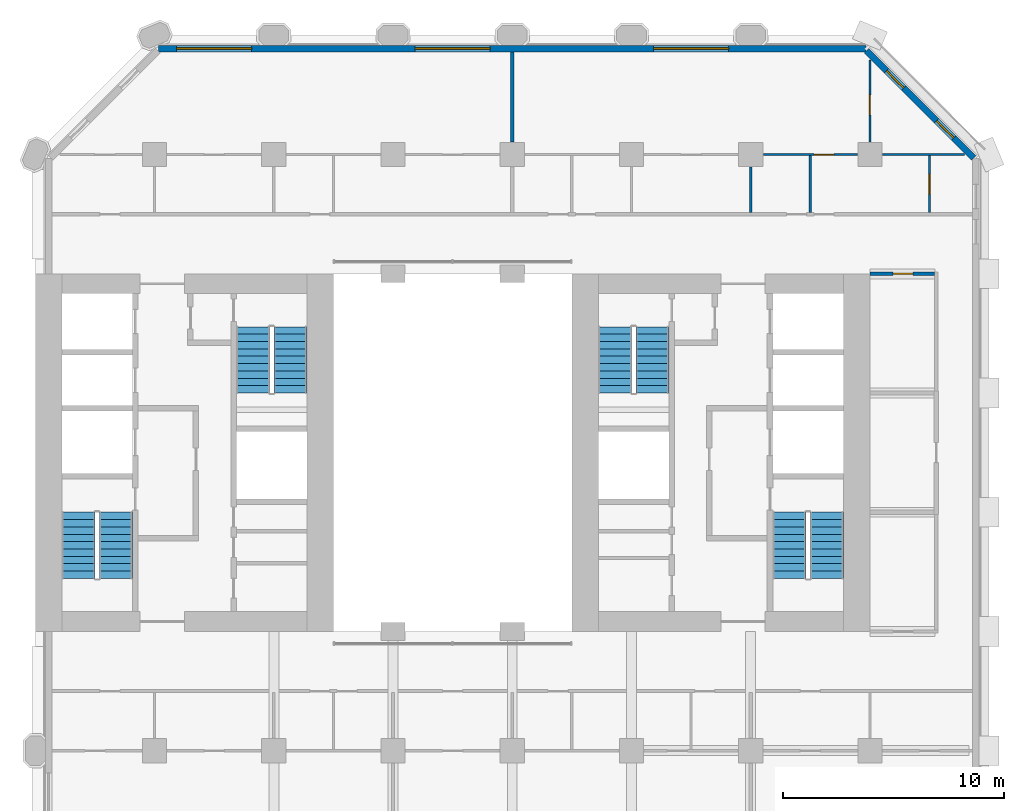
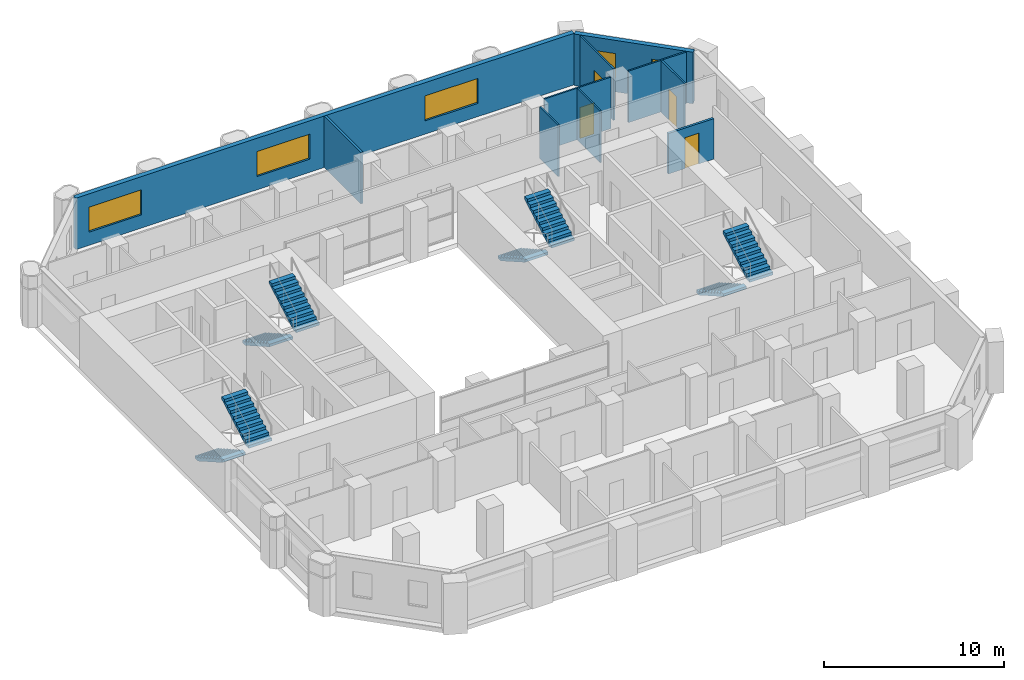
# One storey, part 11 of 13: 10 walls, 8 stair flights, 5 windows, 4 doors, 9 openings, 4 elements without a shape of their own.
"""IFC4 building model written with IfcOpenShell, lengths in metres."""

from ifc_helpers import new_model, si_unit, direction, frame, frame_2d, origin, place, context, subcontext, project, spatial, polyline, rectangle, outline, extrude, material, layer, layer_set, type_object, element, fill, aggregate, save


model = new_model("IFC4")

# Units and contexts
model_context = context("Model", 3, precision=1e-05, world=origin(), true_north=direction((0.0, 1.0)))
body_context = subcontext(model_context, "Body", "Model", "MODEL_VIEW")
ifc_project = project(units=[si_unit("LENGTHUNIT", "METRE"), si_unit("AREAUNIT", "SQUARE_METRE"), si_unit("VOLUMEUNIT", "CUBIC_METRE"), si_unit("PLANEANGLEUNIT", "RADIAN"), si_unit("MASSUNIT", "GRAM", prefix="KILO")], contexts=[model_context])

# Site, building, storey
site_placement = place(None, origin())
site = spatial("IfcSite", under=ifc_project, at=site_placement, CompositionType="ELEMENT")
building_placement = place(site_placement, origin())
building = spatial("IfcBuilding", under=site, at=building_placement, Name="Tabaq Tower and Sports Hall", CompositionType="ELEMENT")
storey_placement = place(building_placement, frame((0.0, 0.0, 37.39990234375)))
storey = spatial("IfcBuildingStorey", under=building, at=storey_placement, Name="L07", CompositionType="ELEMENT", Elevation=37.39990234375)

# Walls
ifc_material_1 = material(Name="Gypsum board on steel studs", Category="steel")
ifc_layer_1 = layer(ifc_material_1, 0.10009765625)
ifc_layer_set_1 = layer_set([ifc_layer_1], Name="Partition 100 Gypsum board")
wall_type_1 = type_object("IfcWallType", Name="Partition 100 Gypsum board", PredefinedType="PARTITIONING", material=ifc_layer_set_1)
wall_1_placement = place(storey_placement, frame((37.800048828125, 35.175048828125, 0.0), z_axis=(0.0, 0.0, 1.0), x_axis=(0.0, 1.0, 0.0)))
element("IfcWall", 1, at=wall_1_placement, inside=storey, type_object=wall_type_1, Name="Partition wall L07", PredefinedType="PARTITIONING", context=body_context, shape_type="SweptSolid", body=[
    extrude(rectangle(XDim=2.054931640625, YDim=0.10009765625, at=frame_2d((1.02734375, 0.0))), origin(), (0.0, 0.0, 1.0), 3.5),
])
wall_2_placement = place(storey_placement, frame((40.5, 35.175048828125, 0.0), z_axis=(0.0, 0.0, 1.0), x_axis=(0.0, 1.0, 0.0)))
element("IfcWall", 2, at=wall_2_placement, inside=storey, type_object=wall_type_1, Name="Partition wall L07", PredefinedType="PARTITIONING", context=body_context, shape_type="SweptSolid", body=[
    extrude(rectangle(XDim=2.574951171875, YDim=0.10009765625, at=frame_2d((1.28759765625, 0.0))), origin(), (0.0, 0.0, 1.0), 3.5),
])

# Wall, opening, door
wall_3_placement = place(storey_placement, frame((45.89990234375, 35.175048828125, 0.0), z_axis=(0.0, 0.0, 1.0), x_axis=(0.0, 1.0, 0.0)))
wall_3 = element("IfcWall", 3, at=wall_3_placement, inside=storey, type_object=wall_type_1, Name="Partition wall L07", PredefinedType="PARTITIONING", context=body_context, shape_type="SweptSolid", body=[
    extrude(rectangle(XDim=2.574951171875, YDim=0.10009765625, at=frame_2d((1.28759765625, 0.0))), origin(), (0.0, 0.0, 1.0), 3.5),
])
opening_1_placement = place(wall_3_placement, frame((0.824951171875, 0.0, 0.0)))
opening_1 = element("IfcOpeningElement", 4, at=opening_1_placement, cuts=wall_3, Name="Opening L07-015", PredefinedType="OPENING", context=body_context, shape_type="SweptSolid", body=[
    extrude(rectangle(XDim=0.89990234375, YDim=2.10009765625, at=frame_2d((0.449951171875, 1.050048828125))), frame((0.0, 0.050048828125, 0.0), z_axis=(0.0, -1.0, 0.0), x_axis=(1.0, 0.0, 0.0)), (0.0, 0.0, 1.0), 0.10009765625),
])
ifc_material_2 = material(Name="Timber leaf in steel frame", Category="steel")
door_type_1 = type_object("IfcDoorType", Name="Internal door 900 right hand", OperationType="SINGLE_SWING_RIGHT", PredefinedType="DOOR", material=ifc_material_2)
door_1_placement = place(opening_1_placement, origin())
door_1 = element("IfcDoor", 5, at=door_1_placement, inside=storey, type_object=door_type_1, Name="Internal door L07-015", OperationType="SINGLE_SWING_RIGHT", OverallHeight=2.10009765625, OverallWidth=0.89990234375, PredefinedType="DOOR", context=body_context, shape_type="SweptSolid", body=[
    extrude(rectangle(XDim=0.89990234375, YDim=2.10009765625, at=frame_2d((0.449951171875, 1.050048828125))), frame((0.0, 0.02490234375, 0.0), z_axis=(0.0, -1.0, 0.0), x_axis=(1.0, 0.0, 0.0)), (0.0, 0.0, 1.0), 0.050048828125),
])
fill(opening_1, door_1)

wall_4_placement = place(storey_placement, frame((42.6298828125, 37.800048828125, 0.0), z_axis=(0.0, 0.0, 1.0), x_axis=(-1.0, 0.0, 0.0)))
wall_4 = element("IfcWall", 6, at=wall_4_placement, inside=storey, type_object=wall_type_1, Name="Partition wall L07", PredefinedType="PARTITIONING", context=body_context, shape_type="SweptSolid", body=[
    extrude(rectangle(XDim=4.259765625, YDim=0.10009765625, at=frame_2d((2.1298828125, 0.0))), origin(), (0.0, 0.0, 1.0), 3.5),
])
opening_2_placement = place(wall_4_placement, frame((1.06005859375, 0.0, 0.0)))
opening_2 = element("IfcOpeningElement", 7, at=opening_2_placement, cuts=wall_4, Name="Opening L07-032", PredefinedType="OPENING", context=body_context, shape_type="SweptSolid", body=[
    extrude(rectangle(XDim=0.89990234375, YDim=2.10009765625, at=frame_2d((0.449951171875, 1.050048828125))), frame((0.0, 0.050048828125, 0.0), z_axis=(0.0, -1.0, 0.0), x_axis=(1.0, 0.0, 0.0)), (0.0, 0.0, 1.0), 0.10009765625),
])
door_2_placement = place(opening_2_placement, origin())
door_2 = element("IfcDoor", 8, at=door_2_placement, inside=storey, type_object=door_type_1, Name="Internal door L07-032", OperationType="SINGLE_SWING_RIGHT", OverallHeight=2.10009765625, OverallWidth=0.89990234375, PredefinedType="DOOR", context=body_context, shape_type="SweptSolid", body=[
    extrude(rectangle(XDim=0.89990234375, YDim=2.10009765625, at=frame_2d((0.449951171875, 1.050048828125))), frame((0.0, 0.02490234375, 0.0), z_axis=(0.0, -1.0, 0.0), x_axis=(1.0, 0.0, 0.0)), (0.0, 0.0, 1.0), 0.050048828125),
])
fill(opening_2, door_2)

# Wall
wall_5_placement = place(storey_placement, frame((47.48779296875, 37.800048828125, 0.0), z_axis=(0.0, 0.0, 1.0), x_axis=(-1.0, 0.0, 0.0)))
element("IfcWall", 9, at=wall_5_placement, inside=storey, type_object=wall_type_1, Name="Partition wall L07", PredefinedType="PARTITIONING", context=body_context, shape_type="SweptSolid", body=[
    extrude(rectangle(XDim=3.7177734375, YDim=0.10009765625, at=frame_2d((1.85888671875, 0.0))), origin(), (0.0, 0.0, 1.0), 3.5),
])

# Wall, opening, door
wall_6_placement = place(storey_placement, frame((43.199951171875, 38.3701171875, 0.0), z_axis=(0.0, 0.0, 1.0), x_axis=(0.0, 1.0, 0.0)))
wall_6 = element("IfcWall", 10, at=wall_6_placement, inside=storey, type_object=wall_type_1, Name="Partition wall L07", PredefinedType="PARTITIONING", context=body_context, shape_type="SweptSolid", body=[
    extrude(rectangle(XDim=3.7177734375, YDim=0.10009765625, at=frame_2d((1.85888671875, 0.0))), origin(), (0.0, 0.0, 1.0), 3.5),
])
opening_3_placement = place(wall_6_placement, frame((1.22998046875, 0.0, 0.0)))
opening_3 = element("IfcOpeningElement", 11, at=opening_3_placement, cuts=wall_6, Name="Opening L07-016", PredefinedType="OPENING", context=body_context, shape_type="SweptSolid", body=[
    extrude(rectangle(XDim=0.89990234375, YDim=2.10009765625, at=frame_2d((0.449951171875, 1.050048828125))), frame((0.0, 0.050048828125, 0.0), z_axis=(0.0, -1.0, 0.0), x_axis=(1.0, 0.0, 0.0)), (0.0, 0.0, 1.0), 0.10009765625),
])
ifc_material_3 = material(Name="Timber leaf in steel frame", Category="steel")
door_type_2 = type_object("IfcDoorType", Name="Internal door 900 left hand", OperationType="SINGLE_SWING_LEFT", PredefinedType="DOOR", material=ifc_material_3)
door_3_placement = place(opening_3_placement, origin())
door_3 = element("IfcDoor", 12, at=door_3_placement, inside=storey, type_object=door_type_2, Name="Internal door L07-016", OperationType="SINGLE_SWING_LEFT", OverallHeight=2.10009765625, OverallWidth=0.89990234375, PredefinedType="DOOR", context=body_context, shape_type="SweptSolid", body=[
    extrude(rectangle(XDim=0.89990234375, YDim=2.10009765625, at=frame_2d((0.449951171875, 1.050048828125))), frame((0.0, 0.02490234375, 0.0), z_axis=(0.0, -1.0, 0.0), x_axis=(1.0, 0.0, 0.0)), (0.0, 0.0, 1.0), 0.050048828125),
])
fill(opening_3, door_3)

ifc_material_4 = material(Name="Blockwork", Category="masonry")
ifc_layer_2 = layer(ifc_material_4, 0.14990234375)
ifc_layer_set_2 = layer_set([ifc_layer_2], Name="Separating wall 150 Blockwork")
wall_type_2 = type_object("IfcWallType", Name="Separating wall 150 Blockwork", PredefinedType="PARTITIONING", material=ifc_layer_set_2)
wall_7_placement = place(storey_placement, frame((46.125, 32.39990234375, 0.0), z_axis=(0.0, 0.0, 1.0), x_axis=(-1.0, 0.0, 0.0)))
wall_7 = element("IfcWall", 13, at=wall_7_placement, inside=storey, type_object=wall_type_2, Name="Separating wall L07", PredefinedType="PARTITIONING", context=body_context, shape_type="SweptSolid", body=[
    extrude(rectangle(XDim=2.925048828125, YDim=0.14990234375, at=frame_2d((1.46240234375, 0.0))), origin(), (0.0, 0.0, 1.0), 2.75),
])
opening_4_placement = place(wall_7_placement, frame((0.97509765625, 0.0, 0.0)))
opening_4 = element("IfcOpeningElement", 14, at=opening_4_placement, cuts=wall_7, Name="Opening L07-011", PredefinedType="OPENING", context=body_context, shape_type="SweptSolid", body=[
    extrude(rectangle(XDim=0.89990234375, YDim=2.10009765625, at=frame_2d((0.449951171875, 1.050048828125))), frame((0.0, 0.074951171875, 0.0), z_axis=(0.0, -1.0, 0.0), x_axis=(1.0, 0.0, 0.0)), (0.0, 0.0, 1.0), 0.14990234375),
])
door_4_placement = place(opening_4_placement, origin())
door_4 = element("IfcDoor", 15, at=door_4_placement, inside=storey, type_object=door_type_2, Name="Internal door L07-011", OperationType="SINGLE_SWING_LEFT", OverallHeight=2.10009765625, OverallWidth=0.89990234375, PredefinedType="DOOR", context=body_context, shape_type="SweptSolid", body=[
    extrude(rectangle(XDim=0.89990234375, YDim=2.10009765625, at=frame_2d((0.449951171875, 1.050048828125))), frame((0.0, 0.02490234375, 0.0), z_axis=(0.0, -1.0, 0.0), x_axis=(1.0, 0.0, 0.0)), (0.0, 0.0, 1.0), 0.050048828125),
])
fill(opening_4, door_4)

# Wall
wall_8_placement = place(storey_placement, frame((27.0, 38.3701171875, 0.0), z_axis=(0.0, 0.0, 1.0), x_axis=(0.0, 1.0, 0.0)))
element("IfcWall", 16, at=wall_8_placement, inside=storey, type_object=wall_type_2, Name="Separating wall L07", PredefinedType="PARTITIONING", context=body_context, shape_type="SweptSolid", body=[
    extrude(rectangle(XDim=4.078857421875, YDim=0.14990234375, at=frame_2d((2.03955078125, 0.0))), origin(), (0.0, 0.0, 1.0), 3.5),
])

# Wall, openings, windows
ifc_material_5 = material(Name="White precast concrete C60/75", Category="concrete")
ifc_layer_3 = layer(ifc_material_5, 0.300048828125)
ifc_layer_set_3 = layer_set([ifc_layer_3], Name="White precast concrete C60/75 external wall 300")
wall_type_3 = type_object("IfcWallType", Name="White precast concrete C60/75 external wall 300", PredefinedType="SOLIDWALL", material=ifc_layer_set_3)
wall_9_placement = place(storey_placement, frame((47.901123046875, 37.650390625, 0.0), z_axis=(0.0, 0.0, 1.0), x_axis=(-0.707106781187, 0.707106781187, 0.0)))
wall_9 = element("IfcWall", 17, at=wall_9_placement, inside=storey, type_object=wall_type_3, Name="External Wall L07 NE", PredefinedType="SOLIDWALL", context=body_context, shape_type="SweptSolid", body=[
    extrude(rectangle(XDim=6.85986328125, YDim=0.300048828125, at=frame_2d((3.429931640625, 0.0))), origin(), (0.0, 0.0, 1.0), 3.5),
])
opening_5_placement = place(wall_9_placement, frame((1.27978515625, 0.0, 0.89990234375)))
opening_5 = element("IfcOpeningElement", 18, at=opening_5_placement, cuts=wall_9, Name="Opening W1B", PredefinedType="OPENING", context=body_context, shape_type="SweptSolid", body=[
    extrude(rectangle(XDim=1.10009765625, YDim=1.699951171875, at=frame_2d((0.550048828125, 0.85009765625))), frame((0.0, 0.16015625, 0.0), z_axis=(0.0, -1.0, 0.0), x_axis=(1.0, 0.0, 0.0)), (0.0, 0.0, 1.0), 0.320068359375),
])
opening_6_placement = place(wall_9_placement, frame((4.479736328125, 0.0, 0.89990234375)))
opening_6 = element("IfcOpeningElement", 19, at=opening_6_placement, cuts=wall_9, Name="Opening W1B", PredefinedType="OPENING", context=body_context, shape_type="SweptSolid", body=[
    extrude(rectangle(XDim=1.10009765625, YDim=1.699951171875, at=frame_2d((0.550048828125, 0.85009765625))), frame((0.0, 0.16015625, 0.0), z_axis=(0.0, -1.0, 0.0), x_axis=(1.0, 0.0, 0.0)), (0.0, 0.0, 1.0), 0.320068359375),
])
ifc_material_6 = material(Name="Aluminium framed clear glazing", Category="aluminium")
window_type_1 = type_object("IfcWindowType", Name="Window W1B", PartitioningType="SINGLE_PANEL", PredefinedType="WINDOW", material=ifc_material_6)
window_1_placement = place(opening_5_placement, origin())
window_1 = element("IfcWindow", 20, at=window_1_placement, inside=storey, type_object=window_type_1, Name="Window W1B L07", OverallHeight=1.699951171875, OverallWidth=1.10009765625, PartitioningType="SINGLE_PANEL", PredefinedType="WINDOW", context=body_context, shape_type="SweptSolid", body=[
    extrude(rectangle(XDim=1.10009765625, YDim=1.699951171875, at=frame_2d((0.550048828125, 0.85009765625))), frame((0.0, 0.030029296875, 0.0), z_axis=(0.0, -1.0, 0.0), x_axis=(1.0, 0.0, 0.0)), (0.0, 0.0, 1.0), 0.06005859375),
])
fill(opening_5, window_1)
window_2_placement = place(opening_6_placement, origin())
window_2 = element("IfcWindow", 21, at=window_2_placement, inside=storey, type_object=window_type_1, Name="Window W1B L07", OverallHeight=1.699951171875, OverallWidth=1.10009765625, PartitioningType="SINGLE_PANEL", PredefinedType="WINDOW", context=body_context, shape_type="SweptSolid", body=[
    extrude(rectangle(XDim=1.10009765625, YDim=1.699951171875, at=frame_2d((0.550048828125, 0.85009765625))), frame((0.0, 0.030029296875, 0.0), z_axis=(0.0, -1.0, 0.0), x_axis=(1.0, 0.0, 0.0)), (0.0, 0.0, 1.0), 0.06005859375),
])
fill(opening_6, window_2)

wall_10_placement = place(storey_placement, frame((43.013671875, 42.60009765625, 0.0), z_axis=(0.0, 0.0, 1.0), x_axis=(-1.0, 0.0, 0.0)))
wall_10 = element("IfcWall", 22, at=wall_10_placement, inside=storey, type_object=wall_type_3, Name="External Wall L07 N", PredefinedType="SOLIDWALL", context=body_context, shape_type="SweptSolid", body=[
    extrude(rectangle(XDim=32.02734375, YDim=0.300048828125, at=frame_2d((16.013671875, 0.0))), origin(), (0.0, 0.0, 1.0), 3.5),
])
opening_7_placement = place(wall_10_placement, frame((6.213623046875, 0.0, 0.89990234375)))
opening_7 = element("IfcOpeningElement", 23, at=opening_7_placement, cuts=wall_10, Name="Opening W1A", PredefinedType="OPENING", context=body_context, shape_type="SweptSolid", body=[
    extrude(rectangle(XDim=3.39990234375, YDim=1.699951171875, at=frame_2d((1.699951171875, 0.85009765625))), frame((0.0, 0.16015625, 0.0), z_axis=(0.0, -1.0, 0.0), x_axis=(1.0, 0.0, 0.0)), (0.0, 0.0, 1.0), 0.320068359375),
])
opening_8_placement = place(wall_10_placement, frame((17.013671875, 0.0, 0.89990234375)))
opening_8 = element("IfcOpeningElement", 24, at=opening_8_placement, cuts=wall_10, Name="Opening W1A", PredefinedType="OPENING", context=body_context, shape_type="SweptSolid", body=[
    extrude(rectangle(XDim=3.39990234375, YDim=1.699951171875, at=frame_2d((1.699951171875, 0.85009765625))), frame((0.0, 0.16015625, 0.0), z_axis=(0.0, -1.0, 0.0), x_axis=(1.0, 0.0, 0.0)), (0.0, 0.0, 1.0), 0.320068359375),
])
opening_9_placement = place(wall_10_placement, frame((27.813720703125, 0.0, 0.89990234375)))
opening_9 = element("IfcOpeningElement", 25, at=opening_9_placement, cuts=wall_10, Name="Opening W1A", PredefinedType="OPENING", context=body_context, shape_type="SweptSolid", body=[
    extrude(rectangle(XDim=3.39990234375, YDim=1.699951171875, at=frame_2d((1.699951171875, 0.85009765625))), frame((0.0, 0.16015625, 0.0), z_axis=(0.0, -1.0, 0.0), x_axis=(1.0, 0.0, 0.0)), (0.0, 0.0, 1.0), 0.320068359375),
])
ifc_material_7 = material(Name="Aluminium framed clear glazing", Category="aluminium")
window_type_2 = type_object("IfcWindowType", Name="Window W1A", PartitioningType="SINGLE_PANEL", PredefinedType="WINDOW", material=ifc_material_7)
window_3_placement = place(opening_7_placement, origin())
window_3 = element("IfcWindow", 26, at=window_3_placement, inside=storey, type_object=window_type_2, Name="Window W1A L07", OverallHeight=1.699951171875, OverallWidth=3.39990234375, PartitioningType="SINGLE_PANEL", PredefinedType="WINDOW", context=body_context, shape_type="SweptSolid", body=[
    extrude(rectangle(XDim=3.39990234375, YDim=1.699951171875, at=frame_2d((1.699951171875, 0.85009765625))), frame((0.0, 0.030029296875, 0.0), z_axis=(0.0, -1.0, 0.0), x_axis=(1.0, 0.0, 0.0)), (0.0, 0.0, 1.0), 0.06005859375),
])
fill(opening_7, window_3)
window_4_placement = place(opening_8_placement, origin())
window_4 = element("IfcWindow", 27, at=window_4_placement, inside=storey, type_object=window_type_2, Name="Window W1A L07", OverallHeight=1.699951171875, OverallWidth=3.39990234375, PartitioningType="SINGLE_PANEL", PredefinedType="WINDOW", context=body_context, shape_type="SweptSolid", body=[
    extrude(rectangle(XDim=3.39990234375, YDim=1.699951171875, at=frame_2d((1.699951171875, 0.85009765625))), frame((0.0, 0.030029296875, 0.0), z_axis=(0.0, -1.0, 0.0), x_axis=(1.0, 0.0, 0.0)), (0.0, 0.0, 1.0), 0.06005859375),
])
fill(opening_8, window_4)
window_5_placement = place(opening_9_placement, origin())
window_5 = element("IfcWindow", 28, at=window_5_placement, inside=storey, type_object=window_type_2, Name="Window W1A L07", OverallHeight=1.699951171875, OverallWidth=3.39990234375, PartitioningType="SINGLE_PANEL", PredefinedType="WINDOW", context=body_context, shape_type="SweptSolid", body=[
    extrude(rectangle(XDim=3.39990234375, YDim=1.699951171875, at=frame_2d((1.699951171875, 0.85009765625))), frame((0.0, 0.030029296875, 0.0), z_axis=(0.0, -1.0, 0.0), x_axis=(1.0, 0.0, 0.0)), (0.0, 0.0, 1.0), 0.06005859375),
])
fill(opening_9, window_5)

# Stair, stair flights
ifc_material_8 = material(Name="Concrete C40/50", Category="concrete")
stair_type = type_object("IfcStairType", Name="Exit stair", PredefinedType="HALF_TURN_STAIR", material=ifc_material_8)
stair_1_placement = place(storey_placement, origin())
stair_1 = element("IfcStair", 29, at=stair_1_placement, inside=storey, type_object=stair_type, Name="L07 Exit stair ST1", PredefinedType="HALF_TURN_STAIR")
ifc_material_9 = material(Name="Concrete C40/50", Category="concrete")
stair_flight_type = type_object("IfcStairFlightType", Name="Exit stair flight", PredefinedType="STRAIGHT", material=ifc_material_9)
stair_flight_1_placement = place(storey_placement, frame((7.35009765625, 21.60009765625, 0.0), z_axis=(0.0, 0.0, 1.0), x_axis=(0.0, -1.0, 0.0)))
stair_flight_1 = element("IfcStairFlight", 30, at=stair_flight_1_placement, type_object=stair_flight_type, Name="ST1 flight 1", NumberOfRisers=10, NumberOfTreads=9, PredefinedType="STRAIGHT", RiserHeight=0.19, TreadLength=0.333333333, context=body_context, shape_type="SweptSolid", body=[
    extrude(outline(polyline([(0.0, 0.0), (0.0, 0.18994140625), (0.333251953125, 0.18994140625), (0.333251953125, 0.3798828125), (0.666748046875, 0.3798828125), (0.666748046875, 0.570068359375), (1.0, 0.570068359375), (1.0, 0.760009765625), (1.333251953125, 0.760009765625), (1.333251953125, 0.949951171875), (1.666748046875, 0.949951171875), (1.666748046875, 1.139892578125), (2.0, 1.139892578125), (2.0, 1.330078125), (2.333251953125, 1.330078125), (2.333251953125, 1.52001953125), (2.666748046875, 1.52001953125), (2.666748046875, 1.7099609375), (3.0, 1.7099609375), (3.0, 1.89990234375), (3.0, 1.537353515625), (0.302734375, 0.0), (0.0, 0.0)])), frame((0.0, 0.75, 0.0), z_axis=(0.0, -1.0, 0.0), x_axis=(1.0, 0.0, 0.0)), (0.0, 0.0, 1.0), 1.5),
])
stair_flight_2_placement = place(storey_placement, frame((9.050048828125, 18.60009765625, 1.900146484375), z_axis=(0.0, 0.0, 1.0), x_axis=(0.0, 1.0, 0.0)))
stair_flight_2 = element("IfcStairFlight", 31, at=stair_flight_2_placement, type_object=stair_flight_type, Name="ST1 flight 2", NumberOfRisers=10, NumberOfTreads=9, PredefinedType="STRAIGHT", RiserHeight=0.19, TreadLength=0.333333333, context=body_context, shape_type="SweptSolid", body=[
    extrude(outline(polyline([(0.0, 0.0), (0.0, 0.18994140625), (0.333251953125, 0.18994140625), (0.333251953125, 0.3798828125), (0.666748046875, 0.3798828125), (0.666748046875, 0.570068359375), (1.0, 0.570068359375), (1.0, 0.760009765625), (1.333251953125, 0.760009765625), (1.333251953125, 0.949951171875), (1.666748046875, 0.949951171875), (1.666748046875, 1.139892578125), (2.0, 1.139892578125), (2.0, 1.330078125), (2.333251953125, 1.330078125), (2.333251953125, 1.52001953125), (2.666748046875, 1.52001953125), (2.666748046875, 1.7099609375), (3.0, 1.7099609375), (3.0, 1.89990234375), (3.0, 1.537353515625), (0.302734375, 0.0), (0.0, 0.0)])), frame((0.0, 0.75, 0.0), z_axis=(0.0, -1.0, 0.0), x_axis=(1.0, 0.0, 0.0)), (0.0, 0.0, 1.0), 1.5),
])
aggregate(stair_1, [stair_flight_1, stair_flight_2])

stair_2_placement = place(storey_placement, origin())
stair_2 = element("IfcStair", 32, at=stair_2_placement, inside=storey, type_object=stair_type, Name="L07 Exit stair ST2", PredefinedType="HALF_TURN_STAIR")
stair_flight_3_placement = place(storey_placement, frame((15.25, 30.0, 0.0), z_axis=(0.0, 0.0, 1.0), x_axis=(0.0, -1.0, 0.0)))
stair_flight_3 = element("IfcStairFlight", 33, at=stair_flight_3_placement, type_object=stair_flight_type, Name="ST2 flight 1", NumberOfRisers=10, NumberOfTreads=9, PredefinedType="STRAIGHT", RiserHeight=0.19, TreadLength=0.333333333, context=body_context, shape_type="SweptSolid", body=[
    extrude(outline(polyline([(0.0, 0.0), (0.0, 0.18994140625), (0.333251953125, 0.18994140625), (0.333251953125, 0.3798828125), (0.666748046875, 0.3798828125), (0.666748046875, 0.570068359375), (1.0, 0.570068359375), (1.0, 0.760009765625), (1.333251953125, 0.760009765625), (1.333251953125, 0.949951171875), (1.666748046875, 0.949951171875), (1.666748046875, 1.139892578125), (2.0, 1.139892578125), (2.0, 1.330078125), (2.333251953125, 1.330078125), (2.333251953125, 1.52001953125), (2.666748046875, 1.52001953125), (2.666748046875, 1.7099609375), (3.0, 1.7099609375), (3.0, 1.89990234375), (3.0, 1.537353515625), (0.302734375, 0.0), (0.0, 0.0)])), frame((0.0, 0.75, 0.0), z_axis=(0.0, -1.0, 0.0), x_axis=(1.0, 0.0, 0.0)), (0.0, 0.0, 1.0), 1.5),
])
stair_flight_4_placement = place(storey_placement, frame((16.949951171875, 27.0, 1.900146484375), z_axis=(0.0, 0.0, 1.0), x_axis=(0.0, 1.0, 0.0)))
stair_flight_4 = element("IfcStairFlight", 34, at=stair_flight_4_placement, type_object=stair_flight_type, Name="ST2 flight 2", NumberOfRisers=10, NumberOfTreads=9, PredefinedType="STRAIGHT", RiserHeight=0.19, TreadLength=0.333333333, context=body_context, shape_type="SweptSolid", body=[
    extrude(outline(polyline([(0.0, 0.0), (0.0, 0.18994140625), (0.333251953125, 0.18994140625), (0.333251953125, 0.3798828125), (0.666748046875, 0.3798828125), (0.666748046875, 0.570068359375), (1.0, 0.570068359375), (1.0, 0.760009765625), (1.333251953125, 0.760009765625), (1.333251953125, 0.949951171875), (1.666748046875, 0.949951171875), (1.666748046875, 1.139892578125), (2.0, 1.139892578125), (2.0, 1.330078125), (2.333251953125, 1.330078125), (2.333251953125, 1.52001953125), (2.666748046875, 1.52001953125), (2.666748046875, 1.7099609375), (3.0, 1.7099609375), (3.0, 1.89990234375), (3.0, 1.537353515625), (0.302734375, 0.0), (0.0, 0.0)])), frame((0.0, 0.75, 0.0), z_axis=(0.0, -1.0, 0.0), x_axis=(1.0, 0.0, 0.0)), (0.0, 0.0, 1.0), 1.5),
])
aggregate(stair_2, [stair_flight_3, stair_flight_4])

stair_3_placement = place(storey_placement, origin())
stair_3 = element("IfcStair", 35, at=stair_3_placement, inside=storey, type_object=stair_type, Name="L07 Exit stair ST3", PredefinedType="HALF_TURN_STAIR")
stair_flight_5_placement = place(storey_placement, frame((39.550048828125, 21.60009765625, 0.0), z_axis=(0.0, 0.0, 1.0), x_axis=(0.0, -1.0, 0.0)))
stair_flight_5 = element("IfcStairFlight", 36, at=stair_flight_5_placement, type_object=stair_flight_type, Name="ST3 flight 1", NumberOfRisers=10, NumberOfTreads=9, PredefinedType="STRAIGHT", RiserHeight=0.19, TreadLength=0.333333333, context=body_context, shape_type="SweptSolid", body=[
    extrude(outline(polyline([(0.0, 0.0), (0.0, 0.18994140625), (0.333251953125, 0.18994140625), (0.333251953125, 0.3798828125), (0.666748046875, 0.3798828125), (0.666748046875, 0.570068359375), (1.0, 0.570068359375), (1.0, 0.760009765625), (1.333251953125, 0.760009765625), (1.333251953125, 0.949951171875), (1.666748046875, 0.949951171875), (1.666748046875, 1.139892578125), (2.0, 1.139892578125), (2.0, 1.330078125), (2.333251953125, 1.330078125), (2.333251953125, 1.52001953125), (2.666748046875, 1.52001953125), (2.666748046875, 1.7099609375), (3.0, 1.7099609375), (3.0, 1.89990234375), (3.0, 1.537353515625), (0.302734375, 0.0), (0.0, 0.0)])), frame((0.0, 0.75, 0.0), z_axis=(0.0, -1.0, 0.0), x_axis=(1.0, 0.0, 0.0)), (0.0, 0.0, 1.0), 1.5),
])
stair_flight_6_placement = place(storey_placement, frame((41.25, 18.60009765625, 1.900146484375), z_axis=(0.0, 0.0, 1.0), x_axis=(0.0, 1.0, 0.0)))
stair_flight_6 = element("IfcStairFlight", 37, at=stair_flight_6_placement, type_object=stair_flight_type, Name="ST3 flight 2", NumberOfRisers=10, NumberOfTreads=9, PredefinedType="STRAIGHT", RiserHeight=0.19, TreadLength=0.333333333, context=body_context, shape_type="SweptSolid", body=[
    extrude(outline(polyline([(0.0, 0.0), (0.0, 0.18994140625), (0.333251953125, 0.18994140625), (0.333251953125, 0.3798828125), (0.666748046875, 0.3798828125), (0.666748046875, 0.570068359375), (1.0, 0.570068359375), (1.0, 0.760009765625), (1.333251953125, 0.760009765625), (1.333251953125, 0.949951171875), (1.666748046875, 0.949951171875), (1.666748046875, 1.139892578125), (2.0, 1.139892578125), (2.0, 1.330078125), (2.333251953125, 1.330078125), (2.333251953125, 1.52001953125), (2.666748046875, 1.52001953125), (2.666748046875, 1.7099609375), (3.0, 1.7099609375), (3.0, 1.89990234375), (3.0, 1.537353515625), (0.302734375, 0.0), (0.0, 0.0)])), frame((0.0, 0.75, 0.0), z_axis=(0.0, -1.0, 0.0), x_axis=(1.0, 0.0, 0.0)), (0.0, 0.0, 1.0), 1.5),
])
aggregate(stair_3, [stair_flight_5, stair_flight_6])

stair_4_placement = place(storey_placement, origin())
stair_4 = element("IfcStair", 38, at=stair_4_placement, inside=storey, type_object=stair_type, Name="L07 Exit stair ST4", PredefinedType="HALF_TURN_STAIR")
stair_flight_7_placement = place(storey_placement, frame((31.64990234375, 30.0, 0.0), z_axis=(0.0, 0.0, 1.0), x_axis=(0.0, -1.0, 0.0)))
stair_flight_7 = element("IfcStairFlight", 39, at=stair_flight_7_placement, type_object=stair_flight_type, Name="ST4 flight 1", NumberOfRisers=10, NumberOfTreads=9, PredefinedType="STRAIGHT", RiserHeight=0.19, TreadLength=0.333333333, context=body_context, shape_type="SweptSolid", body=[
    extrude(outline(polyline([(0.0, 0.0), (0.0, 0.18994140625), (0.333251953125, 0.18994140625), (0.333251953125, 0.3798828125), (0.666748046875, 0.3798828125), (0.666748046875, 0.570068359375), (1.0, 0.570068359375), (1.0, 0.760009765625), (1.333251953125, 0.760009765625), (1.333251953125, 0.949951171875), (1.666748046875, 0.949951171875), (1.666748046875, 1.139892578125), (2.0, 1.139892578125), (2.0, 1.330078125), (2.333251953125, 1.330078125), (2.333251953125, 1.52001953125), (2.666748046875, 1.52001953125), (2.666748046875, 1.7099609375), (3.0, 1.7099609375), (3.0, 1.89990234375), (3.0, 1.537353515625), (0.302734375, 0.0), (0.0, 0.0)])), frame((0.0, 0.75, 0.0), z_axis=(0.0, -1.0, 0.0), x_axis=(1.0, 0.0, 0.0)), (0.0, 0.0, 1.0), 1.5),
])
stair_flight_8_placement = place(storey_placement, frame((33.35009765625, 27.0, 1.900146484375), z_axis=(0.0, 0.0, 1.0), x_axis=(0.0, 1.0, 0.0)))
stair_flight_8 = element("IfcStairFlight", 40, at=stair_flight_8_placement, type_object=stair_flight_type, Name="ST4 flight 2", NumberOfRisers=10, NumberOfTreads=9, PredefinedType="STRAIGHT", RiserHeight=0.19, TreadLength=0.333333333, context=body_context, shape_type="SweptSolid", body=[
    extrude(outline(polyline([(0.0, 0.0), (0.0, 0.18994140625), (0.333251953125, 0.18994140625), (0.333251953125, 0.3798828125), (0.666748046875, 0.3798828125), (0.666748046875, 0.570068359375), (1.0, 0.570068359375), (1.0, 0.760009765625), (1.333251953125, 0.760009765625), (1.333251953125, 0.949951171875), (1.666748046875, 0.949951171875), (1.666748046875, 1.139892578125), (2.0, 1.139892578125), (2.0, 1.330078125), (2.333251953125, 1.330078125), (2.333251953125, 1.52001953125), (2.666748046875, 1.52001953125), (2.666748046875, 1.7099609375), (3.0, 1.7099609375), (3.0, 1.89990234375), (3.0, 1.537353515625), (0.302734375, 0.0), (0.0, 0.0)])), frame((0.0, 0.75, 0.0), z_axis=(0.0, -1.0, 0.0), x_axis=(1.0, 0.0, 0.0)), (0.0, 0.0, 1.0), 1.5),
])
aggregate(stair_4, [stair_flight_7, stair_flight_8])

save(model, "model.ifc")
